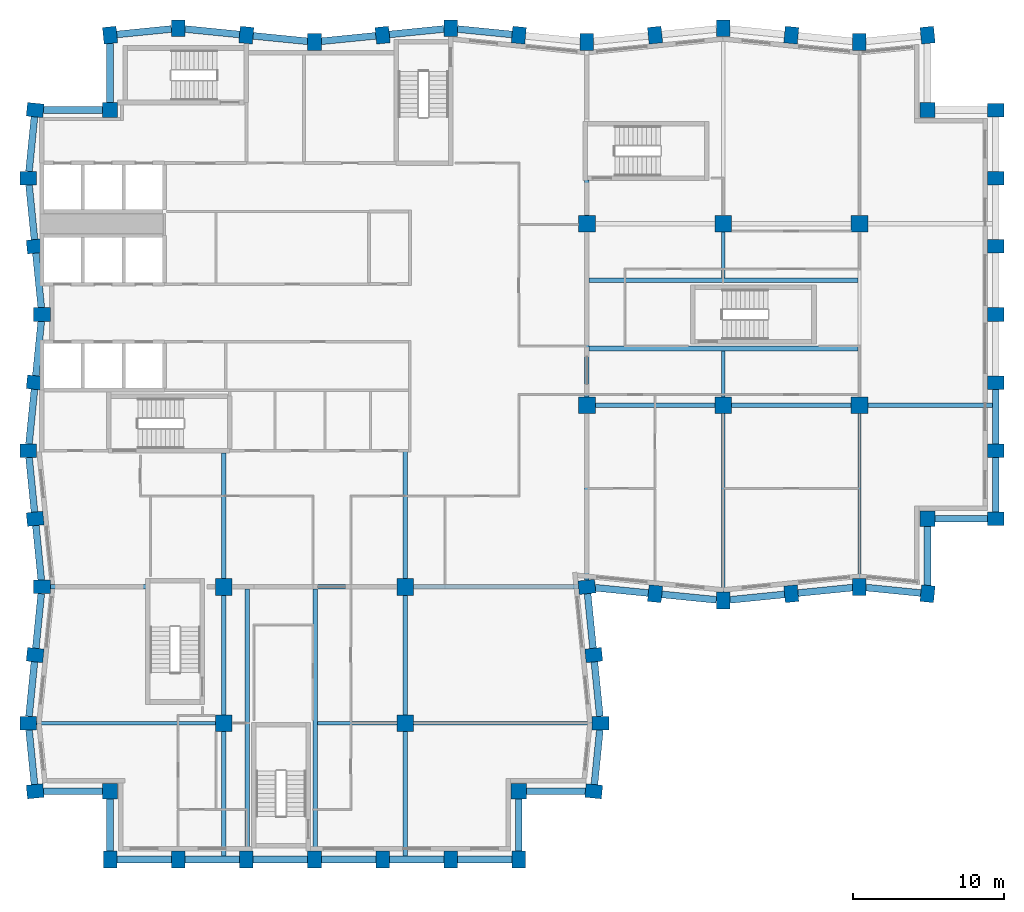
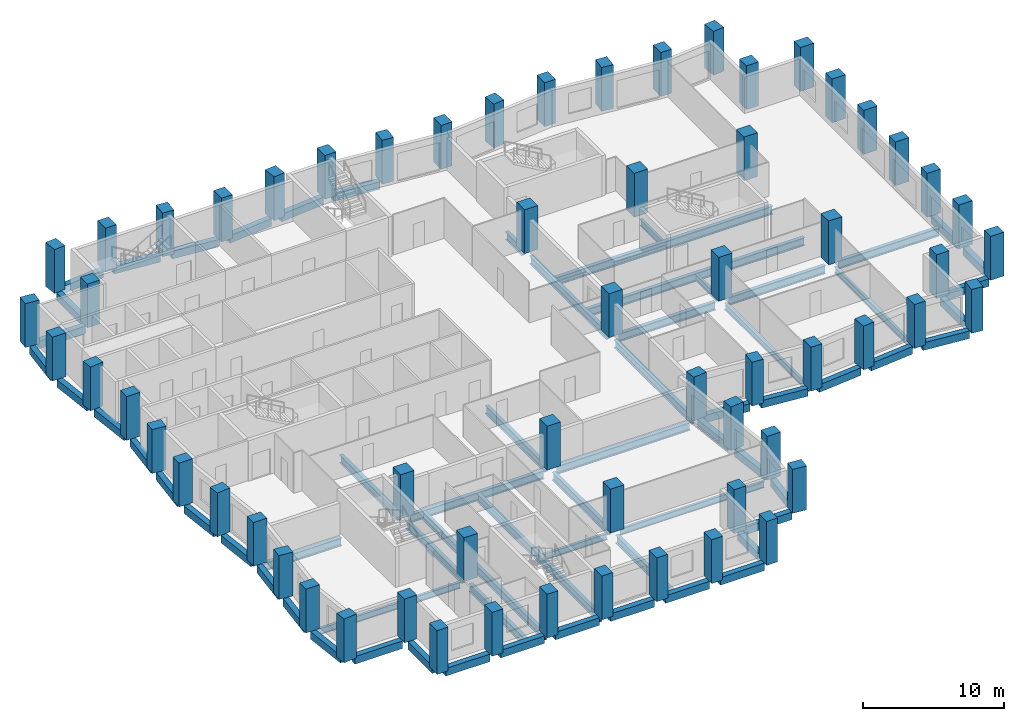
# One storey, part 1 of 10: 66 beams, 62 columns.
"""IFC4 building model written with IfcOpenShell, lengths in metres."""

from ifc_helpers import new_model, si_unit, direction, frame, origin, origin_2d, place, context, subcontext, project, spatial, rectangle, i_section, extrude, material, material_profile, profile_set, type_object, element, save


model = new_model("IFC4")

# Units and contexts
model_context = context("Model", 3, precision=1e-05, world=origin(), true_north=direction((0.0, 1.0)))
body_context = subcontext(model_context, "Body", "Model", "MODEL_VIEW")
ifc_project = project(units=[si_unit("LENGTHUNIT", "METRE"), si_unit("AREAUNIT", "SQUARE_METRE"), si_unit("VOLUMEUNIT", "CUBIC_METRE"), si_unit("PLANEANGLEUNIT", "RADIAN"), si_unit("MASSUNIT", "GRAM", prefix="KILO")], contexts=[model_context])

# Site, building, storey
site_placement = place(None, origin())
site = spatial("IfcSite", under=ifc_project, at=site_placement, CompositionType="ELEMENT")
building_placement = place(site_placement, origin())
building = spatial("IfcBuilding", under=site, at=building_placement, Name="Brondeck Convention Tower", CompositionType="ELEMENT")
storey_placement = place(building_placement, frame((0.0, 0.0, 166.199951171875)))
storey = spatial("IfcBuildingStorey", under=building, at=storey_placement, Name="L40", CompositionType="ELEMENT", Elevation=166.199951171875)

# Columns
ifc_material_1 = material(Name="Concrete C70/85", Category="concrete")
ifc_material_profile_1 = material_profile(ifc_material_1, rectangle(XDim=1.0, YDim=1.0, at=origin_2d()), Name="Corner column 1000x1000 Concrete C70/85")
ifc_profile_set_1 = profile_set([ifc_material_profile_1], Name="Concrete C70/85")
column_type_1 = type_object("IfcColumnType", Name="Corner column 1000x1000 Concrete C70/85", PredefinedType="COLUMN", material=ifc_profile_set_1)
for number, where, z_axis, x_axis, name in (
    (1, (4.5, 13.5, 0.0), (0.0, 0.0, 1.0), (1.0, 0.0, 0.0), "STR-COL-L40-NC-SWB9"),
    (2, (31.5, 13.5, 0.0), (0.0, 0.0, 1.0), (1.0, 0.0, 0.0), "STR-COL-L40-NC-SEB9"),
    (3, (58.5, 31.5, 0.0), (0.0, 0.0, 1.0), (1.0, 0.0, 0.0), "STR-COL-L40-NC-SEA63"),
    (4, (58.5, 58.5, 0.0), (0.0, 0.0, 1.0), (1.0, 0.0, 0.0), "STR-COL-L40-NC-NEA63"),
    (5, (4.5, 58.5, 0.0), (0.0, 0.0, 1.0), (1.0, 0.0, 0.0), "STR-COL-L40-NC-NW"),
):
    element("IfcColumn", number, at=place(storey_placement, frame(where, z_axis=z_axis, x_axis=x_axis)), inside=storey, type_object=column_type_1, Name=name, PredefinedType="COLUMN", context=body_context, shape_type="SweptSolid", body=[
        extrude(rectangle(XDim=1.0, YDim=1.0, at=origin_2d()), origin(), (0.0, 0.0, 1.0), 3.800048828125),
    ])
ifc_material_profile_2 = material_profile(ifc_material_1, rectangle(XDim=1.10009765625, YDim=1.10009765625, at=origin_2d()), Name="Interior column 1100x1100 Concrete C70/85")
ifc_profile_set_2 = profile_set([ifc_material_profile_2], Name="Concrete C70/85")
column_type_2 = type_object("IfcColumnType", Name="Interior column 1100x1100 Concrete C70/85", PredefinedType="COLUMN", material=ifc_profile_set_2)
for number, where, z_axis, x_axis, name in (
    (6, (12.0, 18.0, 0.0), (0.0, 0.0, 1.0), (1.0, 0.0, 0.0), "STR-COL-L40-IC-02"),
    (7, (12.0, 27.0, 0.0), (0.0, 0.0, 1.0), (1.0, 0.0, 0.0), "STR-COL-L40-IC-03"),
    (8, (24.0, 18.0, 0.0), (0.0, 0.0, 1.0), (1.0, 0.0, 0.0), "STR-COL-L40-IC-05"),
    (9, (24.0, 27.0, 0.0), (0.0, 0.0, 1.0), (1.0, 0.0, 0.0), "STR-COL-L40-IC-06"),
    (10, (36.0, 39.0, 0.0), (0.0, 0.0, 1.0), (1.0, 0.0, 0.0), "STR-COL-L40-IC-07"),
    (11, (36.0, 51.0, 0.0), (0.0, 0.0, 1.0), (1.0, 0.0, 0.0), "STR-COL-L40-IC-08"),
    (12, (45.0, 39.0, 0.0), (0.0, 0.0, 1.0), (1.0, 0.0, 0.0), "STR-COL-L40-IC-09"),
    (13, (45.0, 51.0, 0.0), (0.0, 0.0, 1.0), (1.0, 0.0, 0.0), "STR-COL-L40-IC-10"),
    (14, (54.0, 39.0, 0.0), (0.0, 0.0, 1.0), (1.0, 0.0, 0.0), "STR-COL-L40-IC-11"),
    (15, (54.0, 51.0, 0.0), (0.0, 0.0, 1.0), (1.0, 0.0, 0.0), "STR-COL-L40-IC-12"),
):
    element("IfcColumn", number, at=place(storey_placement, frame(where, z_axis=z_axis, x_axis=x_axis)), inside=storey, type_object=column_type_2, Name=name, PredefinedType="COLUMN", context=body_context, shape_type="SweptSolid", body=[
        extrude(rectangle(XDim=1.10009765625, YDim=1.10009765625, at=origin_2d()), origin(), (0.0, 0.0, 1.0), 3.800048828125),
    ])
ifc_material_profile_3 = material_profile(ifc_material_1, rectangle(XDim=0.89990234375, YDim=1.10009765625, at=origin_2d()), Name="Perimeter pier 900x1100 Concrete C70/85")
ifc_profile_set_3 = profile_set([ifc_material_profile_3], Name="Concrete C70/85")
column_type_3 = type_object("IfcColumnType", Name="Perimeter pier 900x1100 Concrete C70/85", PredefinedType="COLUMN", material=ifc_profile_set_3)
for number, where, z_axis, x_axis, name in (
    (16, (4.5, 9.0, 0.0), (0.0, 0.0, 1.0), (1.0, 0.0, 0.0), "STR-COL-L40-PC-B-S9-01"),
    (17, (9.0, 9.0, 0.0), (0.0, 0.0, 1.0), (1.0, 0.0, 0.0), "STR-COL-L40-PC-B-S9-02"),
    (18, (13.5, 9.0, 0.0), (0.0, 0.0, 1.0), (1.0, 0.0, 0.0), "STR-COL-L40-PC-B-S9-03"),
    (19, (18.0, 9.0, 0.0), (0.0, 0.0, 1.0), (1.0, 0.0, 0.0), "STR-COL-L40-PC-B-S9-04"),
    (20, (22.5, 9.0, 0.0), (0.0, 0.0, 1.0), (1.0, 0.0, 0.0), "STR-COL-L40-PC-B-S9-05"),
    (21, (27.0, 9.0, 0.0), (0.0, 0.0, 1.0), (1.0, 0.0, 0.0), "STR-COL-L40-PC-B-S9-06"),
    (22, (31.5, 9.0, 0.0), (0.0, 0.0, 1.0), (1.0, 0.0, 0.0), "STR-COL-L40-PC-B-S9-07"),
    (23, (36.449951171875, 13.5, 0.0), (0.0, 0.0, 1.0), (0.0995038382, 0.995037178292, 0.0), "STR-COL-L40-PC-B-E-03"),
    (24, (36.89990234375, 18.0, 0.0), (0.0, 0.0, 1.0), (0.0, 1.0, 0.0), "STR-COL-L40-PC-B-E-02"),
    (25, (36.449951171875, 22.5, 0.0), (0.0, 0.0, 1.0), (-0.0995038382, 0.995037178292, 0.0), "STR-COL-L40-PC-B-E-01"),
    (26, (36.0, 27.0, 0.0), (0.0, 0.0, 1.0), (-0.0995038382, 0.995037178292, 0.0), "STR-COL-L40-PC-B-E-00"),
    (27, (40.5, 26.550048828125, 0.0), (0.0, 0.0, 1.0), (0.995037178292, -0.0995038382, 0.0), "STR-COL-L40-PC-A-S-01"),
    (28, (45.0, 26.10009765625, 0.0), (0.0, 0.0, 1.0), (1.0, 0.0, 0.0), "STR-COL-L40-PC-A-S-02"),
    (29, (49.5, 26.550048828125, 0.0), (0.0, 0.0, 1.0), (0.995037178292, 0.0995038382, 0.0), "STR-COL-L40-PC-A-S-03"),
    (30, (54.0, 27.0, 0.0), (0.0, 0.0, 1.0), (1.0, 0.0, 0.0), "STR-COL-L40-PC-A-S-04"),
    (31, (58.5, 26.550048828125, 0.0), (0.0, 0.0, 1.0), (0.995037178292, -0.0995038382, 0.0), "STR-COL-L40-PC-A-S-05"),
    (32, (63.0, 31.5, 0.0), (0.0, 0.0, 1.0), (0.0, 1.0, 0.0), "STR-COL-L40-PC-A-E63-01"),
    (33, (63.0, 36.0, 0.0), (0.0, 0.0, 1.0), (0.0, 1.0, 0.0), "STR-COL-L40-PC-A-E63-02"),
    (34, (63.0, 40.5, 0.0), (0.0, 0.0, 1.0), (0.0, 1.0, 0.0), "STR-COL-L40-PC-A-E63-03"),
    (35, (63.0, 45.0, 0.0), (0.0, 0.0, 1.0), (0.0, 1.0, 0.0), "STR-COL-L40-PC-A-E63-04"),
    (36, (63.0, 49.5, 0.0), (0.0, 0.0, 1.0), (0.0, 1.0, 0.0), "STR-COL-L40-PC-A-E63-05"),
    (37, (63.0, 54.0, 0.0), (0.0, 0.0, 1.0), (0.0, 1.0, 0.0), "STR-COL-L40-PC-A-E63-06"),
    (38, (63.0, 58.5, 0.0), (0.0, 0.0, 1.0), (0.0, 1.0, 0.0), "STR-COL-L40-PC-A-E63-07"),
    (39, (58.5, 63.449951171875, 0.0), (0.0, 0.0, 1.0), (-0.995037178292, -0.0995038382, 0.0), "STR-COL-L40-PC-A-N-13"),
    (40, (54.0, 63.0, 0.0), (0.0, 0.0, 1.0), (-1.0, 0.0, 0.0), "STR-COL-L40-PC-A-N-12"),
    (41, (49.5, 63.449951171875, 0.0), (0.0, 0.0, 1.0), (-0.995037178292, 0.0995038382, 0.0), "STR-COL-L40-PC-A-N-11"),
    (42, (45.0, 63.89990234375, 0.0), (0.0, 0.0, 1.0), (-1.0, 0.0, 0.0), "STR-COL-L40-PC-A-N-10"),
    (43, (40.5, 63.449951171875, 0.0), (0.0, 0.0, 1.0), (-0.995037178292, -0.0995038382, 0.0), "STR-COL-L40-PC-A-N-09"),
    (44, (36.0, 63.0, 0.0), (0.0, 0.0, 1.0), (-1.0, 0.0, 0.0), "STR-COL-L40-PC-A-N-08"),
    (45, (31.5, 63.449951171875, 0.0), (0.0, 0.0, 1.0), (-0.995037178292, 0.0995038382, 0.0), "STR-COL-L40-PC-A-N-07"),
    (46, (27.0, 63.89990234375, 0.0), (0.0, 0.0, 1.0), (-1.0, 0.0, 0.0), "STR-COL-L40-PC-A-N-06"),
    (47, (22.5, 63.449951171875, 0.0), (0.0, 0.0, 1.0), (-0.995037178292, -0.0995038382, 0.0), "STR-COL-L40-PC-A-N-05"),
    (48, (18.0, 63.0, 0.0), (0.0, 0.0, 1.0), (-1.0, 0.0, 0.0), "STR-COL-L40-PC-A-N-04"),
    (49, (13.5, 63.449951171875, 0.0), (0.0, 0.0, 1.0), (-0.995037178292, 0.0995038382, 0.0), "STR-COL-L40-PC-A-N-03"),
    (50, (9.0, 63.89990234375, 0.0), (0.0, 0.0, 1.0), (-1.0, 0.0, 0.0), "STR-COL-L40-PC-A-N-02"),
    (51, (4.5, 63.449951171875, 0.0), (0.0, 0.0, 1.0), (-0.995037178292, -0.0995038382, 0.0), "STR-COL-L40-PC-A-N-01"),
    (52, (-0.449951171875, 58.5, 0.0), (0.0, 0.0, 1.0), (-0.0995038382, -0.995037178292, 0.0), "STR-COL-L40-PC-B-W-01"),
    (53, (-0.89990234375, 54.0, 0.0), (0.0, 0.0, 1.0), (0.0, -1.0, 0.0), "STR-COL-L40-PC-B-W-02"),
    (54, (-0.449951171875, 49.5, 0.0), (0.0, 0.0, 1.0), (0.0995038382, -0.995037178292, 0.0), "STR-COL-L40-PC-B-W-03"),
    (55, (0.0, 45.0, 0.0), (0.0, 0.0, 1.0), (0.0, -1.0, 0.0), "STR-COL-L40-PC-B-W-04"),
    (56, (-0.449951171875, 40.5, 0.0), (0.0, 0.0, 1.0), (-0.0995038382, -0.995037178292, 0.0), "STR-COL-L40-PC-B-W-05"),
    (57, (-0.89990234375, 36.0, 0.0), (0.0, 0.0, 1.0), (0.0, -1.0, 0.0), "STR-COL-L40-PC-B-W-06"),
    (58, (-0.449951171875, 31.5, 0.0), (0.0, 0.0, 1.0), (0.0995038382, -0.995037178292, 0.0), "STR-COL-L40-PC-B-W-07"),
    (59, (0.0, 27.0, 0.0), (0.0, 0.0, 1.0), (0.0, -1.0, 0.0), "STR-COL-L40-PC-B-W-08"),
    (60, (-0.449951171875, 22.5, 0.0), (0.0, 0.0, 1.0), (-0.0995038382, -0.995037178292, 0.0), "STR-COL-L40-PC-B-W-09"),
    (61, (-0.89990234375, 18.0, 0.0), (0.0, 0.0, 1.0), (0.0, -1.0, 0.0), "STR-COL-L40-PC-B-W-10"),
    (62, (-0.449951171875, 13.5, 0.0), (0.0, 0.0, 1.0), (0.0995038382, -0.995037178292, 0.0), "STR-COL-L40-PC-B-W-11"),
):
    element("IfcColumn", number, at=place(storey_placement, frame(where, z_axis=z_axis, x_axis=x_axis)), inside=storey, type_object=column_type_3, Name=name, PredefinedType="COLUMN", context=body_context, shape_type="SweptSolid", body=[
        extrude(rectangle(XDim=0.89990234375, YDim=1.10009765625, at=origin_2d()), origin(), (0.0, 0.0, 1.0), 3.800048828125),
    ])

# Beams
ifc_material_2 = material(Name="Steel S355", Category="steel")
ifc_material_profile_4 = material_profile(ifc_material_2, i_section(OverallWidth=0.2099609375, OverallDepth=0.550048828125, WebThickness=0.010986328125, FlangeThickness=0.01708984375, FilletRadius=0.02392578125, at=origin_2d()), Name="IPE 550")
ifc_profile_set_4 = profile_set([ifc_material_profile_4], Name="Steel S355")
beam_type_1 = type_object("IfcBeamType", Name="Floor beam IPE 550", PredefinedType="BEAM", material=ifc_profile_set_4)
beam_1_placement = place(storey_placement, frame((45.0, 26.64990234375, -0.574951171875), z_axis=(0.0, 1.0, 0.0), x_axis=(-1.0, 0.0, 0.0)))
element("IfcBeam", 63, at=beam_1_placement, inside=storey, type_object=beam_type_1, Name="STR-FB-L40-001", PredefinedType="BEAM", context=body_context, shape_type="SweptSolid", body=[
    extrude(i_section(OverallWidth=0.2099609375, OverallDepth=0.550048828125, WebThickness=0.010986328125, FlangeThickness=0.01708984375, FilletRadius=0.02392578125, at=origin_2d()), origin(), (0.0, 0.0, 1.0), 11.800048828125),
])
beam_2_placement = place(storey_placement, frame((54.0, 27.550048828125, -0.574951171875), z_axis=(0.0, 1.0, 0.0), x_axis=(-1.0, 0.0, 0.0)))
element("IfcBeam", 64, at=beam_2_placement, inside=storey, type_object=beam_type_1, Name="STR-FB-L40-003", PredefinedType="BEAM", context=body_context, shape_type="SweptSolid", body=[
    extrude(i_section(OverallWidth=0.2099609375, OverallDepth=0.550048828125, WebThickness=0.010986328125, FlangeThickness=0.01708984375, FilletRadius=0.02392578125, at=origin_2d()), origin(), (0.0, 0.0, 1.0), 10.89990234375),
])
for number, where, z_axis, x_axis, name in (
    (65, (-0.35009765625, 18.0, -0.574951171875), (1.0, 0.0, 0.0), (0.0, 1.0, 0.0), "STR-FB-L40-006"),
    (66, (24.550048828125, 18.0, -0.574951171875), (1.0, 0.0, 0.0), (0.0, 1.0, 0.0), "STR-FB-L40-007"),
):
    element("IfcBeam", number, at=place(storey_placement, frame(where, z_axis=z_axis, x_axis=x_axis)), inside=storey, type_object=beam_type_1, Name=name, PredefinedType="BEAM", context=body_context, shape_type="SweptSolid", body=[
        extrude(i_section(OverallWidth=0.2099609375, OverallDepth=0.550048828125, WebThickness=0.010986328125, FlangeThickness=0.01708984375, FilletRadius=0.02392578125, at=origin_2d()), origin(), (0.0, 0.0, 1.0), 11.800048828125),
    ])
for number, where, z_axis, x_axis, name in (
    (67, (45.0, 39.550048828125, -0.574951171875), (0.0, 1.0, 0.0), (-1.0, 0.0, 0.0), "STR-FB-L40-008"),
    (68, (45.0, 47.39990234375, -0.574951171875), (0.0, 1.0, 0.0), (-1.0, 0.0, 0.0), "STR-FB-L40-009"),
):
    element("IfcBeam", number, at=place(storey_placement, frame(where, z_axis=z_axis, x_axis=x_axis)), inside=storey, type_object=beam_type_1, Name=name, PredefinedType="BEAM", context=body_context, shape_type="SweptSolid", body=[
        extrude(i_section(OverallWidth=0.2099609375, OverallDepth=0.550048828125, WebThickness=0.010986328125, FlangeThickness=0.01708984375, FilletRadius=0.02392578125, at=origin_2d()), origin(), (0.0, 0.0, 1.0), 3.050048828125),
    ])
beam_3_placement = place(storey_placement, frame((18.199951171875, 18.0, -0.574951171875), z_axis=(1.0, 0.0, 0.0), x_axis=(0.0, 1.0, 0.0)))
element("IfcBeam", 69, at=beam_3_placement, inside=storey, type_object=beam_type_1, Name="STR-FB-L40-010", PredefinedType="BEAM", context=body_context, shape_type="SweptSolid", body=[
    extrude(i_section(OverallWidth=0.2099609375, OverallDepth=0.550048828125, WebThickness=0.010986328125, FlangeThickness=0.01708984375, FilletRadius=0.02392578125, at=origin_2d()), origin(), (0.0, 0.0, 1.0), 5.25),
])
ifc_material_profile_5 = material_profile(ifc_material_2, i_section(OverallWidth=0.300048828125, OverallDepth=0.699951171875, WebThickness=0.01708984375, FlangeThickness=0.031982421875, FilletRadius=0.027099609375, at=origin_2d()), Name="HEB 700")
ifc_profile_set_5 = profile_set([ifc_material_profile_5], Name="Steel S355")
beam_type_2 = type_object("IfcBeamType", Name="Girder HEB 700", PredefinedType="BEAM", material=ifc_profile_set_5)
for number, where, z_axis, x_axis, name in (
    (70, (36.550048828125, 39.0, -0.64990234375), (1.0, 0.0, 0.0), (0.0, 1.0, 0.0), "STR-GR-L40-001"),
    (71, (45.550048828125, 39.0, -0.64990234375), (1.0, 0.0, 0.0), (0.0, 1.0, 0.0), "STR-GR-L40-002"),
):
    element("IfcBeam", number, at=place(storey_placement, frame(where, z_axis=z_axis, x_axis=x_axis)), inside=storey, type_object=beam_type_2, Name=name, PredefinedType="BEAM", context=body_context, shape_type="SweptSolid", body=[
        extrude(i_section(OverallWidth=0.300048828125, OverallDepth=0.699951171875, WebThickness=0.01708984375, FlangeThickness=0.031982421875, FilletRadius=0.027099609375, at=origin_2d()), origin(), (0.0, 0.0, 1.0), 7.89990234375),
    ])
beam_4_placement = place(storey_placement, frame((54.550048828125, 39.0, -0.64990234375), z_axis=(1.0, 0.0, 0.0), x_axis=(0.0, 1.0, 0.0)))
element("IfcBeam", 72, at=beam_4_placement, inside=storey, type_object=beam_type_2, Name="STR-GR-L40-003", PredefinedType="BEAM", context=body_context, shape_type="SweptSolid", body=[
    extrude(i_section(OverallWidth=0.300048828125, OverallDepth=0.699951171875, WebThickness=0.01708984375, FlangeThickness=0.031982421875, FilletRadius=0.027099609375, at=origin_2d()), origin(), (0.0, 0.0, 1.0), 8.224853515625),
])
beam_5_placement = place(storey_placement, frame((36.0, 27.4521484375, -0.64990234375), z_axis=(0.0, 1.0, 0.0), x_axis=(-1.0, 0.0, 0.0)))
element("IfcBeam", 73, at=beam_5_placement, inside=storey, type_object=beam_type_2, Name="STR-GR-L40-007", PredefinedType="BEAM", context=body_context, shape_type="SweptSolid", body=[
    extrude(i_section(OverallWidth=0.300048828125, OverallDepth=0.699951171875, WebThickness=0.01708984375, FlangeThickness=0.031982421875, FilletRadius=0.027099609375, at=origin_2d()), origin(), (0.0, 0.0, 1.0), 10.997802734375),
])
beam_6_placement = place(storey_placement, frame((36.0, 39.550048828125, -0.64990234375), z_axis=(0.0, 1.0, 0.0), x_axis=(-1.0, 0.0, 0.0)))
element("IfcBeam", 74, at=beam_6_placement, inside=storey, type_object=beam_type_2, Name="STR-GR-L40-008", PredefinedType="BEAM", context=body_context, shape_type="SweptSolid", body=[
    extrude(i_section(OverallWidth=0.300048828125, OverallDepth=0.699951171875, WebThickness=0.01708984375, FlangeThickness=0.031982421875, FilletRadius=0.027099609375, at=origin_2d()), origin(), (0.0, 0.0, 1.0), 10.89990234375),
])
beam_7_placement = place(storey_placement, frame((36.0, 51.550048828125, -0.64990234375), z_axis=(0.0, 1.0, 0.0), x_axis=(-1.0, 0.0, 0.0)))
element("IfcBeam", 75, at=beam_7_placement, inside=storey, type_object=beam_type_2, Name="STR-GR-L40-009", PredefinedType="BEAM", context=body_context, shape_type="SweptSolid", body=[
    extrude(i_section(OverallWidth=0.300048828125, OverallDepth=0.699951171875, WebThickness=0.01708984375, FlangeThickness=0.031982421875, FilletRadius=0.027099609375, at=origin_2d()), origin(), (0.0, 0.0, 1.0), 2.329833984375),
])
beam_8_placement = place(storey_placement, frame((12.0, 35.85009765625, -0.64990234375), z_axis=(0.0, -1.0, 0.0), x_axis=(1.0, 0.0, 0.0)))
element("IfcBeam", 76, at=beam_8_placement, inside=storey, type_object=beam_type_2, Name="STR-GR-L40-011", PredefinedType="BEAM", context=body_context, shape_type="SweptSolid", body=[
    extrude(i_section(OverallWidth=0.300048828125, OverallDepth=0.699951171875, WebThickness=0.01708984375, FlangeThickness=0.031982421875, FilletRadius=0.027099609375, at=origin_2d()), origin(), (0.0, 0.0, 1.0), 8.300048828125),
])
beam_9_placement = place(storey_placement, frame((12.0, 26.449951171875, -0.64990234375), z_axis=(0.0, -1.0, 0.0), x_axis=(1.0, 0.0, 0.0)))
element("IfcBeam", 77, at=beam_9_placement, inside=storey, type_object=beam_type_2, Name="STR-GR-L40-012", PredefinedType="BEAM", context=body_context, shape_type="SweptSolid", body=[
    extrude(i_section(OverallWidth=0.300048828125, OverallDepth=0.699951171875, WebThickness=0.01708984375, FlangeThickness=0.031982421875, FilletRadius=0.027099609375, at=origin_2d()), origin(), (0.0, 0.0, 1.0), 7.89990234375),
])
beam_10_placement = place(storey_placement, frame((12.0, 17.449951171875, -0.64990234375), z_axis=(0.0, -1.0, 0.0), x_axis=(1.0, 0.0, 0.0)))
element("IfcBeam", 78, at=beam_10_placement, inside=storey, type_object=beam_type_2, Name="STR-GR-L40-013", PredefinedType="BEAM", context=body_context, shape_type="SweptSolid", body=[
    extrude(i_section(OverallWidth=0.300048828125, OverallDepth=0.699951171875, WebThickness=0.01708984375, FlangeThickness=0.031982421875, FilletRadius=0.027099609375, at=origin_2d()), origin(), (0.0, 0.0, 1.0), 8.224853515625),
])
beam_11_placement = place(storey_placement, frame((24.0, 35.955078125, -0.64990234375), z_axis=(0.0, -1.0, 0.0), x_axis=(1.0, 0.0, 0.0)))
element("IfcBeam", 79, at=beam_11_placement, inside=storey, type_object=beam_type_2, Name="STR-GR-L40-014", PredefinedType="BEAM", context=body_context, shape_type="SweptSolid", body=[
    extrude(i_section(OverallWidth=0.300048828125, OverallDepth=0.699951171875, WebThickness=0.01708984375, FlangeThickness=0.031982421875, FilletRadius=0.027099609375, at=origin_2d()), origin(), (0.0, 0.0, 1.0), 8.405029296875),
])
beam_12_placement = place(storey_placement, frame((24.0, 26.449951171875, -0.64990234375), z_axis=(0.0, -1.0, 0.0), x_axis=(1.0, 0.0, 0.0)))
element("IfcBeam", 80, at=beam_12_placement, inside=storey, type_object=beam_type_2, Name="STR-GR-L40-015", PredefinedType="BEAM", context=body_context, shape_type="SweptSolid", body=[
    extrude(i_section(OverallWidth=0.300048828125, OverallDepth=0.699951171875, WebThickness=0.01708984375, FlangeThickness=0.031982421875, FilletRadius=0.027099609375, at=origin_2d()), origin(), (0.0, 0.0, 1.0), 7.89990234375),
])
beam_13_placement = place(storey_placement, frame((24.0, 17.449951171875, -0.64990234375), z_axis=(0.0, -1.0, 0.0), x_axis=(1.0, 0.0, 0.0)))
element("IfcBeam", 81, at=beam_13_placement, inside=storey, type_object=beam_type_2, Name="STR-GR-L40-016", PredefinedType="BEAM", context=body_context, shape_type="SweptSolid", body=[
    extrude(i_section(OverallWidth=0.300048828125, OverallDepth=0.699951171875, WebThickness=0.01708984375, FlangeThickness=0.031982421875, FilletRadius=0.027099609375, at=origin_2d()), origin(), (0.0, 0.0, 1.0), 8.224853515625),
])
beam_14_placement = place(storey_placement, frame((0.550048828125, 27.0, -0.64990234375), z_axis=(1.0, 0.0, 0.0), x_axis=(0.0, 1.0, 0.0)))
element("IfcBeam", 82, at=beam_14_placement, inside=storey, type_object=beam_type_2, Name="STR-GR-L40-017", PredefinedType="BEAM", context=body_context, shape_type="SweptSolid", body=[
    extrude(i_section(OverallWidth=0.300048828125, OverallDepth=0.699951171875, WebThickness=0.01708984375, FlangeThickness=0.031982421875, FilletRadius=0.027099609375, at=origin_2d()), origin(), (0.0, 0.0, 1.0), 6.329833984375),
])
beam_15_placement = place(storey_placement, frame((12.550048828125, 27.0, -0.64990234375), z_axis=(1.0, 0.0, 0.0), x_axis=(0.0, 1.0, 0.0)))
element("IfcBeam", 83, at=beam_15_placement, inside=storey, type_object=beam_type_2, Name="STR-GR-L40-018", PredefinedType="BEAM", context=body_context, shape_type="SweptSolid", body=[
    extrude(i_section(OverallWidth=0.300048828125, OverallDepth=0.699951171875, WebThickness=0.01708984375, FlangeThickness=0.031982421875, FilletRadius=0.027099609375, at=origin_2d()), origin(), (0.0, 0.0, 1.0), 10.89990234375),
])
beam_16_placement = place(storey_placement, frame((24.550048828125, 27.0, -0.64990234375), z_axis=(1.0, 0.0, 0.0), x_axis=(0.0, 1.0, 0.0)))
element("IfcBeam", 84, at=beam_16_placement, inside=storey, type_object=beam_type_2, Name="STR-GR-L40-019", PredefinedType="BEAM", context=body_context, shape_type="SweptSolid", body=[
    extrude(i_section(OverallWidth=0.300048828125, OverallDepth=0.699951171875, WebThickness=0.01708984375, FlangeThickness=0.031982421875, FilletRadius=0.027099609375, at=origin_2d()), origin(), (0.0, 0.0, 1.0), 10.897216796875),
])
for number, where, z_axis, x_axis, name in (
    (85, (36.14990234375, 42.75, -0.64990234375), (1.0, 0.0, 0.0), (0.0, 1.0, 0.0), "STR-GR-L40-020"),
    (86, (36.14990234375, 47.25, -0.64990234375), (1.0, 0.0, 0.0), (0.0, 1.0, 0.0), "STR-GR-L40-021"),
):
    element("IfcBeam", number, at=place(storey_placement, frame(where, z_axis=z_axis, x_axis=x_axis)), inside=storey, type_object=beam_type_2, Name=name, PredefinedType="BEAM", context=body_context, shape_type="SweptSolid", body=[
        extrude(i_section(OverallWidth=0.300048828125, OverallDepth=0.699951171875, WebThickness=0.01708984375, FlangeThickness=0.031982421875, FilletRadius=0.027099609375, at=origin_2d()), origin(), (0.0, 0.0, 1.0), 17.7451171875),
    ])
for number, where, z_axis, x_axis, name in (
    (87, (13.550048828125, 9.550048828125, -0.64990234375), (0.0, 1.0, 0.0), (-1.0, 0.0, 0.0), "STR-GR-L40-022"),
    (88, (18.050048828125, 9.550048828125, -0.64990234375), (0.0, 1.0, 0.0), (-1.0, 0.0, 0.0), "STR-GR-L40-023"),
):
    element("IfcBeam", number, at=place(storey_placement, frame(where, z_axis=z_axis, x_axis=x_axis)), inside=storey, type_object=beam_type_2, Name=name, PredefinedType="BEAM", context=body_context, shape_type="SweptSolid", body=[
        extrude(i_section(OverallWidth=0.300048828125, OverallDepth=0.699951171875, WebThickness=0.01708984375, FlangeThickness=0.031982421875, FilletRadius=0.027099609375, at=origin_2d()), origin(), (0.0, 0.0, 1.0), 17.300048828125),
    ])
ifc_material_profile_6 = material_profile(ifc_material_1, rectangle(XDim=0.449951171875, YDim=0.64990234375, at=origin_2d()), Name="Precast spandrel 450x650 Concrete C70/85")
ifc_profile_set_6 = profile_set([ifc_material_profile_6], Name="Concrete C70/85")
beam_type_3 = type_object("IfcBeamType", Name="Precast spandrel 450x650 Concrete C70/85", PredefinedType="SPANDREL", material=ifc_profile_set_6)
for number, where, z_axis, x_axis, name in (
    (89, (4.949951171875, 9.0, -0.324951171875), (1.0, 0.0, 0.0), (0.0, 1.0, 0.0), "STR-SP-L40-001"),
    (90, (9.449951171875, 9.0, -0.324951171875), (1.0, 0.0, 0.0), (0.0, 1.0, 0.0), "STR-SP-L40-002"),
    (91, (13.949951171875, 9.0, -0.324951171875), (1.0, 0.0, 0.0), (0.0, 1.0, 0.0), "STR-SP-L40-003"),
    (92, (18.449951171875, 9.0, -0.324951171875), (1.0, 0.0, 0.0), (0.0, 1.0, 0.0), "STR-SP-L40-004"),
    (93, (22.949951171875, 9.0, -0.324951171875), (1.0, 0.0, 0.0), (0.0, 1.0, 0.0), "STR-SP-L40-005"),
    (94, (27.449951171875, 9.0, -0.324951171875), (1.0, 0.0, 0.0), (0.0, 1.0, 0.0), "STR-SP-L40-006"),
):
    element("IfcBeam", number, at=place(storey_placement, frame(where, z_axis=z_axis, x_axis=x_axis)), inside=storey, type_object=beam_type_3, Name=name, PredefinedType="SPANDREL", context=body_context, shape_type="SweptSolid", body=[
        extrude(rectangle(XDim=0.449951171875, YDim=0.64990234375, at=origin_2d()), origin(), (0.0, 0.0, 1.0), 3.60009765625),
    ])
beam_17_placement = place(storey_placement, frame((31.5, 9.550048828125, -0.324951171875), z_axis=(0.0, 1.0, 0.0), x_axis=(-1.0, 0.0, 0.0)))
element("IfcBeam", 95, at=beam_17_placement, inside=storey, type_object=beam_type_3, Name="STR-SP-L40-007", PredefinedType="SPANDREL", context=body_context, shape_type="SweptSolid", body=[
    extrude(rectangle(XDim=0.449951171875, YDim=0.64990234375, at=origin_2d()), origin(), (0.0, 0.0, 1.0), 3.449951171875),
])
beam_18_placement = place(storey_placement, frame((32.0, 13.5, -0.324951171875), z_axis=(1.0, 0.0, 0.0), x_axis=(0.0, 1.0, 0.0)))
element("IfcBeam", 96, at=beam_18_placement, inside=storey, type_object=beam_type_3, Name="STR-SP-L40-008", PredefinedType="SPANDREL", context=body_context, shape_type="SweptSolid", body=[
    extrude(rectangle(XDim=0.449951171875, YDim=0.64990234375, at=origin_2d()), origin(), (0.0, 0.0, 1.0), 3.897216796875),
])
for number, where, z_axis, x_axis, name in (
    (97, (36.494873046875, 13.94775390625, -0.324951171875), (0.099470334057, 0.995040528141, 0.0), (-0.995040528141, 0.099470334057, 0.0), "STR-SP-L40-009"),
    (98, (36.85498046875, 18.449951171875, -0.324951171875), (-0.099470334057, 0.995040528141, 0.0), (-0.995040528141, -0.099470334057, 0.0), "STR-SP-L40-010"),
):
    element("IfcBeam", number, at=place(storey_placement, frame(where, z_axis=z_axis, x_axis=x_axis)), inside=storey, type_object=beam_type_3, Name=name, PredefinedType="SPANDREL", context=body_context, shape_type="SweptSolid", body=[
        extrude(rectangle(XDim=0.449951171875, YDim=0.64990234375, at=origin_2d()), origin(), (0.0, 0.0, 1.0), 3.620361328125),
    ])
beam_19_placement = place(storey_placement, frame((36.4052734375, 22.94775390625, -0.324951171875), z_axis=(-0.099543756114, 0.995033185687, 0.0), x_axis=(-0.995033185687, -0.099543756114, 0.0)))
element("IfcBeam", 99, at=beam_19_placement, inside=storey, type_object=beam_type_3, Name="STR-SP-L40-011", PredefinedType="SPANDREL", context=body_context, shape_type="SweptSolid", body=[
    extrude(rectangle(XDim=0.449951171875, YDim=0.64990234375, at=origin_2d()), origin(), (0.0, 0.0, 1.0), 3.62255859375),
])
beam_20_placement = place(storey_placement, frame((36.558349609375, 26.944091796875, -0.324951171875), z_axis=(0.995037878598, -0.099496834901, 0.0), x_axis=(0.099496834901, 0.995037878598, 0.0)))
element("IfcBeam", 100, at=beam_20_placement, inside=storey, type_object=beam_type_3, Name="STR-SP-L40-012", PredefinedType="SPANDREL", context=body_context, shape_type="SweptSolid", body=[
    extrude(rectangle(XDim=0.449951171875, YDim=0.64990234375, at=origin_2d()), origin(), (0.0, 0.0, 1.0), 3.51123046875),
])
for number, where, z_axis, x_axis, name in (
    (101, (40.94775390625, 26.505126953125, -0.324951171875), (0.995040528141, -0.099470334057, 0.0), (0.099470334057, 0.995040528141, 0.0), "STR-SP-L40-013"),
    (102, (45.449951171875, 26.14501953125, -0.324951171875), (0.995040528141, 0.099470334057, 0.0), (-0.099470334057, 0.995040528141, 0.0), "STR-SP-L40-014"),
    (103, (49.94775390625, 26.5947265625, -0.324951171875), (0.995033851182, 0.099537103649, 0.0), (-0.099537103649, 0.995033851182, 0.0), "STR-SP-L40-015"),
    (104, (54.449951171875, 26.955078125, -0.324951171875), (0.995033851182, -0.099537103649, 0.0), (0.099537103649, 0.995033851182, 0.0), "STR-SP-L40-016"),
):
    element("IfcBeam", number, at=place(storey_placement, frame(where, z_axis=z_axis, x_axis=x_axis)), inside=storey, type_object=beam_type_3, Name=name, PredefinedType="SPANDREL", context=body_context, shape_type="SweptSolid", body=[
        extrude(rectangle(XDim=0.449951171875, YDim=0.64990234375, at=origin_2d()), origin(), (0.0, 0.0, 1.0), 3.620361328125),
    ])
beam_21_placement = place(storey_placement, frame((58.5, 27.102783203125, -0.324951171875), z_axis=(0.0, 1.0, 0.0), x_axis=(-1.0, 0.0, 0.0)))
element("IfcBeam", 105, at=beam_21_placement, inside=storey, type_object=beam_type_3, Name="STR-SP-L40-017", PredefinedType="SPANDREL", context=body_context, shape_type="SweptSolid", body=[
    extrude(rectangle(XDim=0.449951171875, YDim=0.64990234375, at=origin_2d()), origin(), (0.0, 0.0, 1.0), 3.897216796875),
])
beam_22_placement = place(storey_placement, frame((59.0, 31.5, -0.324951171875), z_axis=(1.0, 0.0, 0.0), x_axis=(0.0, 1.0, 0.0)))
element("IfcBeam", 106, at=beam_22_placement, inside=storey, type_object=beam_type_3, Name="STR-SP-L40-018", PredefinedType="SPANDREL", context=body_context, shape_type="SweptSolid", body=[
    extrude(rectangle(XDim=0.449951171875, YDim=0.64990234375, at=origin_2d()), origin(), (0.0, 0.0, 1.0), 3.449951171875),
])
for number, where, z_axis, x_axis, name in (
    (107, (63.0, 31.949951171875, -0.324951171875), (0.0, 1.0, 0.0), (-1.0, 0.0, 0.0), "STR-SP-L40-019"),
    (108, (63.0, 36.449951171875, -0.324951171875), (0.0, 1.0, 0.0), (-1.0, 0.0, 0.0), "STR-SP-L40-020"),
):
    element("IfcBeam", number, at=place(storey_placement, frame(where, z_axis=z_axis, x_axis=x_axis)), inside=storey, type_object=beam_type_3, Name=name, PredefinedType="SPANDREL", context=body_context, shape_type="SweptSolid", body=[
        extrude(rectangle(XDim=0.449951171875, YDim=0.64990234375, at=origin_2d()), origin(), (0.0, 0.0, 1.0), 3.60009765625),
    ])
for number, where, z_axis, x_axis, name in (
    (109, (31.05224609375, 63.494873046875, -0.324951171875), (-0.995040528141, 0.099470334057, 0.0), (-0.099470334057, -0.995040528141, 0.0), "STR-SP-L40-033"),
    (110, (26.550048828125, 63.85498046875, -0.324951171875), (-0.995040528141, -0.099470334057, 0.0), (0.099470334057, -0.995040528141, 0.0), "STR-SP-L40-034"),
    (111, (22.05224609375, 63.4052734375, -0.324951171875), (-0.995033851182, -0.099537103649, 0.0), (0.099537103649, -0.995033851182, 0.0), "STR-SP-L40-035"),
    (112, (17.550048828125, 63.044921875, -0.324951171875), (-0.995033851182, 0.099537103649, 0.0), (-0.099537103649, -0.995033851182, 0.0), "STR-SP-L40-036"),
    (113, (13.05224609375, 63.494873046875, -0.324951171875), (-0.995040528141, 0.099470334057, 0.0), (-0.099470334057, -0.995040528141, 0.0), "STR-SP-L40-037"),
    (114, (8.550048828125, 63.85498046875, -0.324951171875), (-0.995040528141, -0.099470334057, 0.0), (0.099470334057, -0.995040528141, 0.0), "STR-SP-L40-038"),
):
    element("IfcBeam", number, at=place(storey_placement, frame(where, z_axis=z_axis, x_axis=x_axis)), inside=storey, type_object=beam_type_3, Name=name, PredefinedType="SPANDREL", context=body_context, shape_type="SweptSolid", body=[
        extrude(rectangle(XDim=0.449951171875, YDim=0.64990234375, at=origin_2d()), origin(), (0.0, 0.0, 1.0), 3.620361328125),
    ])
for number, where, z_axis, x_axis, name in (
    (115, (4.5, 62.897216796875, -0.324951171875), (0.0, -1.0, 0.0), (1.0, 0.0, 0.0), "STR-SP-L40-039"),
    (116, (4.0, 58.5, -0.324951171875), (-1.0, 0.0, 0.0), (0.0, -1.0, 0.0), "STR-SP-L40-040"),
):
    element("IfcBeam", number, at=place(storey_placement, frame(where, z_axis=z_axis, x_axis=x_axis)), inside=storey, type_object=beam_type_3, Name=name, PredefinedType="SPANDREL", context=body_context, shape_type="SweptSolid", body=[
        extrude(rectangle(XDim=0.449951171875, YDim=0.64990234375, at=origin_2d()), origin(), (0.0, 0.0, 1.0), 3.897216796875),
    ])
for number, where, z_axis, x_axis, name in (
    (117, (-0.494873046875, 58.05224609375, -0.324951171875), (-0.099470334057, -0.995040528141, 0.0), (0.995040528141, -0.099470334057, 0.0), "STR-SP-L40-041"),
    (118, (-0.85498046875, 53.550048828125, -0.324951171875), (0.099470334057, -0.995040528141, 0.0), (0.995040528141, 0.099470334057, 0.0), "STR-SP-L40-042"),
    (119, (-0.4052734375, 49.05224609375, -0.324951171875), (0.099537103649, -0.995033851182, 0.0), (0.995033851182, 0.099537103649, 0.0), "STR-SP-L40-043"),
    (120, (-0.044921875, 44.550048828125, -0.324951171875), (-0.099537103649, -0.995033851182, 0.0), (0.995033851182, -0.099537103649, 0.0), "STR-SP-L40-044"),
    (121, (-0.494873046875, 40.05224609375, -0.324951171875), (-0.099470334057, -0.995040528141, 0.0), (0.995040528141, -0.099470334057, 0.0), "STR-SP-L40-045"),
    (122, (-0.85498046875, 35.550048828125, -0.324951171875), (0.099470334057, -0.995040528141, 0.0), (0.995040528141, 0.099470334057, 0.0), "STR-SP-L40-046"),
    (123, (-0.4052734375, 31.05224609375, -0.324951171875), (0.099537103649, -0.995033851182, 0.0), (0.995033851182, 0.099537103649, 0.0), "STR-SP-L40-047"),
    (124, (-0.044921875, 26.550048828125, -0.324951171875), (-0.099537103649, -0.995033851182, 0.0), (0.995033851182, -0.099537103649, 0.0), "STR-SP-L40-048"),
    (125, (-0.494873046875, 22.05224609375, -0.324951171875), (-0.099470334057, -0.995040528141, 0.0), (0.995040528141, -0.099470334057, 0.0), "STR-SP-L40-049"),
    (126, (-0.85498046875, 17.550048828125, -0.324951171875), (0.099470334057, -0.995040528141, 0.0), (0.995040528141, 0.099470334057, 0.0), "STR-SP-L40-050"),
):
    element("IfcBeam", number, at=place(storey_placement, frame(where, z_axis=z_axis, x_axis=x_axis)), inside=storey, type_object=beam_type_3, Name=name, PredefinedType="SPANDREL", context=body_context, shape_type="SweptSolid", body=[
        extrude(rectangle(XDim=0.449951171875, YDim=0.64990234375, at=origin_2d()), origin(), (0.0, 0.0, 1.0), 3.620361328125),
    ])
beam_23_placement = place(storey_placement, frame((0.102783203125, 13.5, -0.324951171875), z_axis=(1.0, 0.0, 0.0), x_axis=(0.0, 1.0, 0.0)))
element("IfcBeam", 127, at=beam_23_placement, inside=storey, type_object=beam_type_3, Name="STR-SP-L40-051", PredefinedType="SPANDREL", context=body_context, shape_type="SweptSolid", body=[
    extrude(rectangle(XDim=0.449951171875, YDim=0.64990234375, at=origin_2d()), origin(), (0.0, 0.0, 1.0), 3.897216796875),
])
beam_24_placement = place(storey_placement, frame((4.5, 13.0, -0.324951171875), z_axis=(0.0, -1.0, 0.0), x_axis=(1.0, 0.0, 0.0)))
element("IfcBeam", 128, at=beam_24_placement, inside=storey, type_object=beam_type_3, Name="STR-SP-L40-052", PredefinedType="SPANDREL", context=body_context, shape_type="SweptSolid", body=[
    extrude(rectangle(XDim=0.449951171875, YDim=0.64990234375, at=origin_2d()), origin(), (0.0, 0.0, 1.0), 3.449951171875),
])

save(model, "model.ifc")
